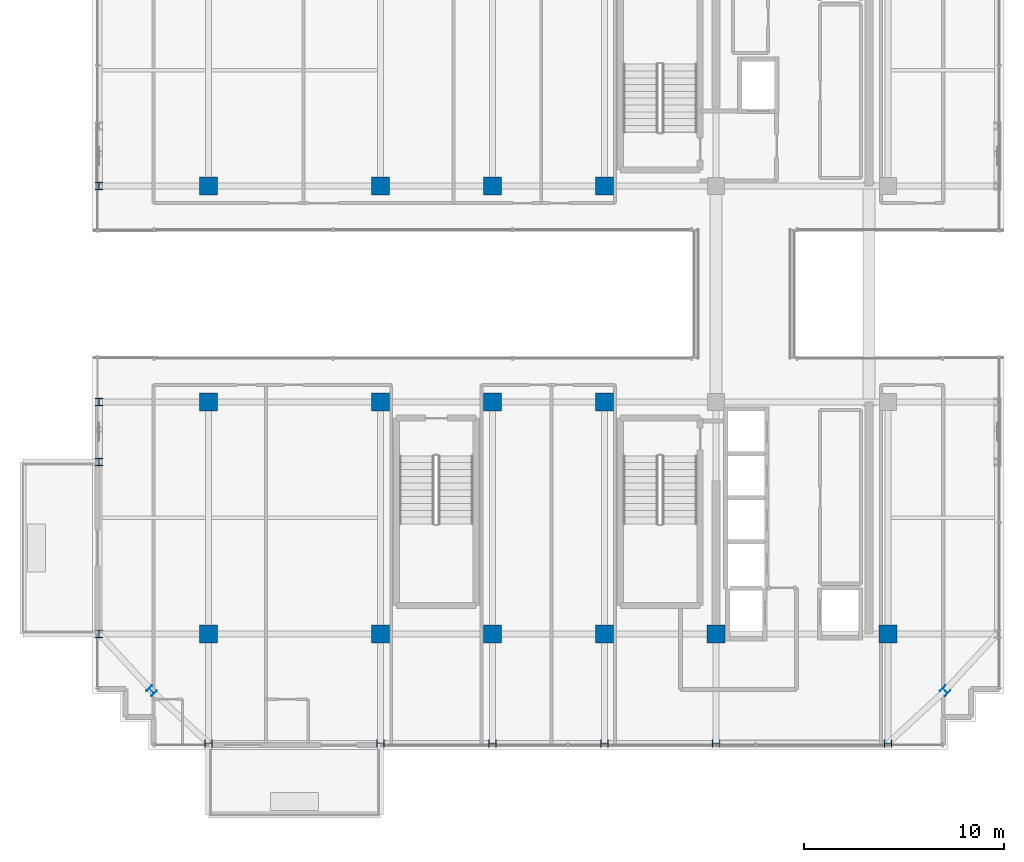
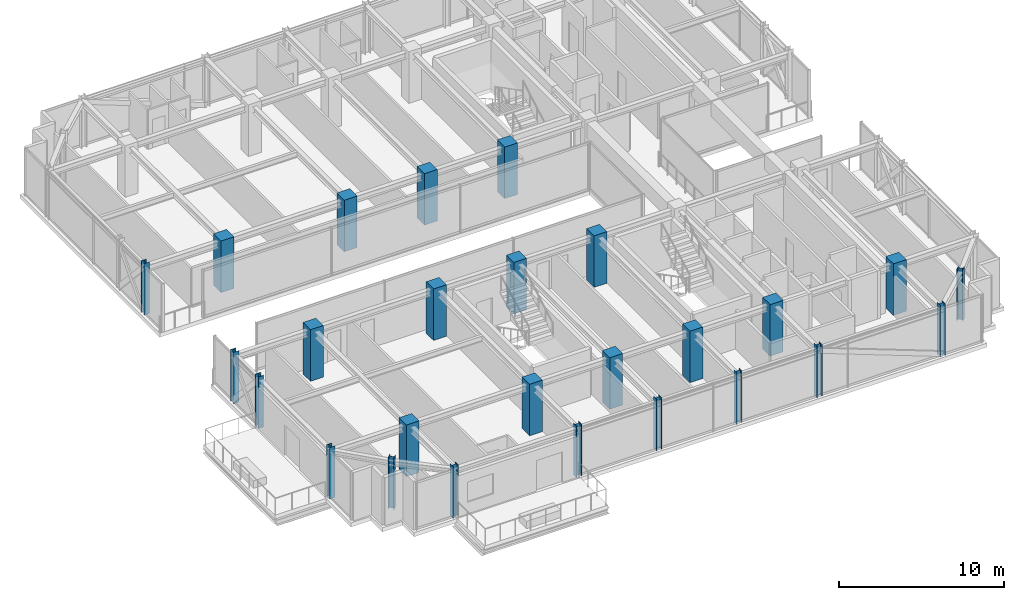
# One storey, part 1 of 37: 26 columns.
"""IFC4 building model written with IfcOpenShell, lengths in metres."""

from ifc_helpers import new_model, si_unit, direction, frame, origin, origin_2d, place, context, subcontext, project, spatial, rectangle, i_section, extrude, source, transform, mapped, material, material_profile, profile_set, type_object, element, save


model = new_model("IFC4")

# Units and contexts
model_context = context("Model", 3, precision=1e-05, world=origin(), true_north=direction((0.0, 1.0)))
body_context = subcontext(model_context, "Body", "Model", "MODEL_VIEW")
ifc_project = project(units=[si_unit("LENGTHUNIT", "METRE"), si_unit("AREAUNIT", "SQUARE_METRE"), si_unit("VOLUMEUNIT", "CUBIC_METRE"), si_unit("PLANEANGLEUNIT", "RADIAN"), si_unit("MASSUNIT", "GRAM", prefix="KILO")], contexts=[model_context])

# Site, building, storey
site_placement = place(None, origin())
site = spatial("IfcSite", under=ifc_project, at=site_placement, CompositionType="ELEMENT")
building_placement = place(site_placement, origin())
building = spatial("IfcBuilding", under=site, at=building_placement, Name="Nahalor Promenade Grand Hotel", CompositionType="ELEMENT")
storey_placement = place(building_placement, frame((0.0, 0.0, 308.050048828125)))
storey = spatial("IfcBuildingStorey", under=building, at=storey_placement, Name="L79", CompositionType="ELEMENT", Elevation=308.050048828125)

# Columns
ifc_material_1 = material(Name="Concrete B-50 (C40/50)", Category="concrete")
ifc_material_profile_1 = material_profile(ifc_material_1, rectangle(XDim=0.9, YDim=0.9, at=origin_2d()), Name="RC 900x900")
ifc_profile_set_1 = profile_set([ifc_material_profile_1], Name="Concrete B-50 (C40/50)")
column_type_1 = type_object("IfcColumnType", Name="Col-RC-900", PredefinedType="COLUMN", material=ifc_profile_set_1)
shared_shape_1 = source(origin(), body_context, "Body", "SweptSolid", [
    extrude(rectangle(XDim=0.9, YDim=0.9, at=origin_2d()), origin(), (0.0, 0.0, 1.0), 3.804931640625),
])
for number, where, z_axis, x_axis, name in (
    (1, (-17.0, -17.0, 0.0), (0.0, 0.0, 1.0), (1.0, 0.0, 0.0), "COL-L79-I00"),
    (2, (-17.0, -5.39990234375, 0.0), (0.0, 0.0, 1.0), (1.0, 0.0, 0.0), "COL-L79-I01"),
    (3, (-17.0, 5.39990234375, 0.0), (0.0, 0.0, 1.0), (1.0, 0.0, 0.0), "COL-L79-I02"),
    (4, (-8.39990234375, -17.0, 0.0), (0.0, 0.0, 1.0), (1.0, 0.0, 0.0), "COL-L79-I10"),
    (5, (-8.39990234375, -5.39990234375, 0.0), (0.0, 0.0, 1.0), (1.0, 0.0, 0.0), "COL-L79-I11"),
    (6, (-8.39990234375, 5.39990234375, 0.0), (0.0, 0.0, 1.0), (1.0, 0.0, 0.0), "COL-L79-I12"),
    (7, (-2.800048828125, -17.0, 0.0), (0.0, 0.0, 1.0), (1.0, 0.0, 0.0), "COL-L79-I20"),
    (8, (-2.800048828125, -5.39990234375, 0.0), (0.0, 0.0, 1.0), (1.0, 0.0, 0.0), "COL-L79-I21"),
    (9, (-2.800048828125, 5.39990234375, 0.0), (0.0, 0.0, 1.0), (1.0, 0.0, 0.0), "COL-L79-I22"),
    (10, (2.800048828125, -17.0, 0.0), (0.0, 0.0, 1.0), (1.0, 0.0, 0.0), "COL-L79-I30"),
    (11, (2.800048828125, -5.39990234375, 0.0), (0.0, 0.0, 1.0), (1.0, 0.0, 0.0), "COL-L79-I31"),
    (12, (2.800048828125, 5.39990234375, 0.0), (0.0, 0.0, 1.0), (1.0, 0.0, 0.0), "COL-L79-I32"),
    (13, (8.39990234375, -17.0, 0.0), (0.0, 0.0, 1.0), (1.0, 0.0, 0.0), "COL-L79-I40"),
    (14, (17.0, -17.0, 0.0), (0.0, 0.0, 1.0), (1.0, 0.0, 0.0), "COL-L79-I50"),
):
    element("IfcColumn", number, at=place(storey_placement, frame(where, z_axis=z_axis, x_axis=x_axis)), inside=storey, type_object=column_type_1, Name=name, PredefinedType="COLUMN", context=body_context, shape_type="MappedRepresentation", body=[
        mapped(shared_shape_1, transform((0.0, 0.0, 0.0), scale=1.0)),
    ])
ifc_material_2 = material(Name="Steel S355JR", Category="steel")
ifc_material_profile_2 = material_profile(ifc_material_2, i_section(OverallWidth=0.374, OverallDepth=0.374, WebThickness=0.0144, FlangeThickness=0.0229, at=origin_2d()), Name="HD 360x262")
ifc_profile_set_2 = profile_set([ifc_material_profile_2], Name="Steel S355JR")
column_type_2 = type_object("IfcColumnType", Name="Col-Steel-HD262", PredefinedType="COLUMN", material=ifc_profile_set_2)
shared_shape_2 = source(origin(), body_context, "Body", "SweptSolid", [
    extrude(i_section(OverallWidth=0.374, OverallDepth=0.374, WebThickness=0.0144, FlangeThickness=0.0229, at=origin_2d()), origin(), (0.0, 0.0, 1.0), 3.804931640625),
])
for number, where, z_axis, x_axis, name in (
    (15, (-22.47998046875, -17.0, 0.0), (0.0, 0.0, 1.0), (1.0, 0.0, 0.0), "COL-L79-PW-W0"),
    (16, (-22.47998046875, -8.39990234375, 0.0), (0.0, 0.0, 1.0), (1.0, 0.0, 0.0), "COL-L79-PW-W1"),
    (17, (-22.47998046875, -5.39990234375, 0.0), (0.0, 0.0, 1.0), (1.0, 0.0, 0.0), "COL-L79-PW-W2"),
    (18, (-22.47998046875, 5.39990234375, 0.0), (0.0, 0.0, 1.0), (1.0, 0.0, 0.0), "COL-L79-PW-W3"),
    (19, (-17.0, -22.47998046875, 0.0), (0.0, 0.0, 1.0), (0.0, 1.0, 0.0), "COL-L79-PN-S0"),
    (20, (-8.39990234375, -22.47998046875, 0.0), (0.0, 0.0, 1.0), (0.0, 1.0, 0.0), "COL-L79-PN-S1"),
    (21, (-2.800048828125, -22.47998046875, 0.0), (0.0, 0.0, 1.0), (0.0, 1.0, 0.0), "COL-L79-PN-S2"),
    (22, (2.800048828125, -22.47998046875, 0.0), (0.0, 0.0, 1.0), (0.0, 1.0, 0.0), "COL-L79-PN-S3"),
    (23, (8.39990234375, -22.47998046875, 0.0), (0.0, 0.0, 1.0), (0.0, 1.0, 0.0), "COL-L79-PN-S4"),
    (24, (17.0, -22.47998046875, 0.0), (0.0, 0.0, 1.0), (0.0, 1.0, 0.0), "COL-L79-PN-S5"),
    (25, (-19.85009765625, -19.85009765625, 0.0), (0.0, 0.0, 1.0), (0.707106781187, 0.707106781187, 0.0), "COL-L79-CRN-SW"),
    (26, (19.85009765625, -19.85009765625, 0.0), (0.0, 0.0, 1.0), (0.707106781187, 0.707106781187, 0.0), "COL-L79-CRN-SE"),
):
    element("IfcColumn", number, at=place(storey_placement, frame(where, z_axis=z_axis, x_axis=x_axis)), inside=storey, type_object=column_type_2, Name=name, PredefinedType="COLUMN", context=body_context, shape_type="MappedRepresentation", body=[
        mapped(shared_shape_2, transform((0.0, 0.0, 0.0), scale=1.0)),
    ])

save(model, "model.ifc")
